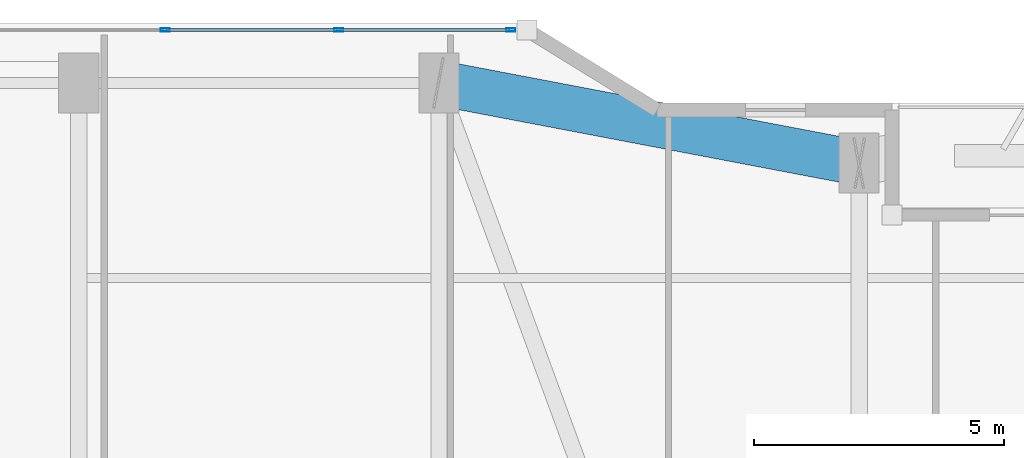
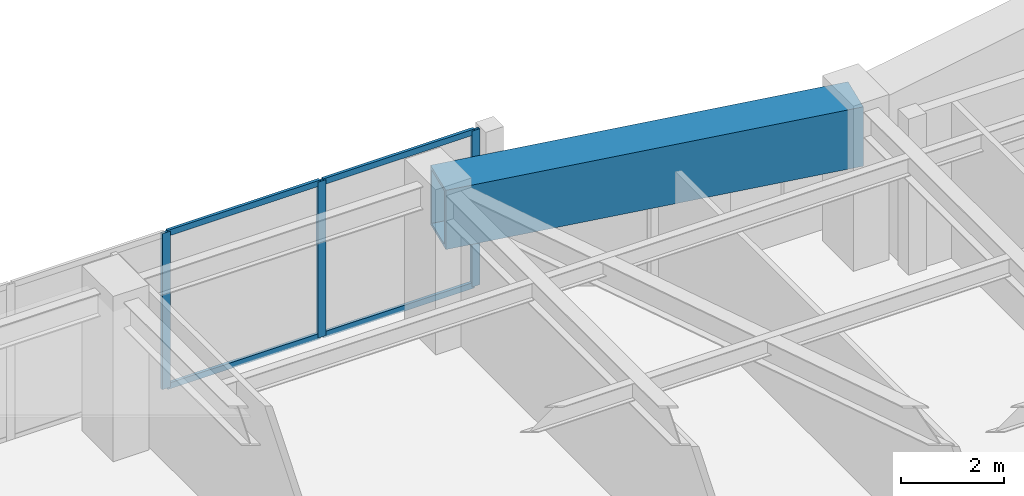
# One storey, part 19 of 30: 7 members, 1 beam, 1 element without a shape of its own.
"""IFC4 building model written with IfcOpenShell, lengths in metres."""

from ifc_helpers import new_model, si_unit, direction, frame, origin, origin_2d, place, context, subcontext, project, spatial, hollow_rectangle, extrude, material, layer, layer_set, material_profile, profile_set, type_object, element, aggregate, save


model = new_model("IFC4")

# Units and contexts
model_context = context("Model", 3, precision=1e-05, world=origin(), true_north=direction((0.0, 1.0)))
body_context = subcontext(model_context, "Body", "Model", "MODEL_VIEW")
ifc_project = project(units=[si_unit("LENGTHUNIT", "METRE"), si_unit("AREAUNIT", "SQUARE_METRE"), si_unit("VOLUMEUNIT", "CUBIC_METRE"), si_unit("PLANEANGLEUNIT", "RADIAN"), si_unit("MASSUNIT", "GRAM", prefix="KILO")], contexts=[model_context])

# Site, building, storey
site_placement = place(None, origin())
site = spatial("IfcSite", under=ifc_project, at=site_placement, CompositionType="ELEMENT")
building_placement = place(site_placement, origin())
building = spatial("IfcBuilding", under=site, at=building_placement, Name="Kiyonajd Concourse Tower", CompositionType="ELEMENT")
storey_placement = place(building_placement, frame((0.0, 0.0, 174.0)))
storey = spatial("IfcBuildingStorey", under=building, at=storey_placement, Name="L44", CompositionType="ELEMENT", Elevation=174.0)

# Beam
ifc_material_1 = material(Name="Steel ASTM A572 Grade 50", Category="steel")
ifc_material_profile_1 = material_profile(ifc_material_1, hollow_rectangle(XDim=0.89990234375, YDim=1.39990234375, WallThickness=0.070068359375, at=origin_2d()), Name="BOX-1400x900x70")
ifc_profile_set_1 = profile_set([ifc_material_profile_1], Name="Steel ASTM A572 Grade 50")
beam_type = type_object("IfcBeamType", Name="BM-XFER-1400", PredefinedType="BEAM", material=ifc_profile_set_1)
beam_placement = place(storey_placement, frame((48.0, 59.60009765625, 2.97998046875), z_axis=(-0.982341315253, 0.187097675953, 0.0), x_axis=(-0.187097675953, -0.982341315253, 0.0)))
element("IfcBeam", 1, at=beam_placement, inside=storey, type_object=beam_type, Name="L44 Perimeter Bundled Tube Spandrel", PredefinedType="BEAM", context=body_context, shape_type="SweptSolid", body=[
    extrude(hollow_rectangle(XDim=0.89990234375, YDim=1.39990234375, WallThickness=0.070068359375, at=origin_2d()), origin(), (0.0, 0.0, 1.0), 8.55078125),
])

# Curtain wall, members
ifc_material_2 = material(Name="Thermally Broken Anodised Aluminium", Category="aluminium")
ifc_layer = layer(ifc_material_2, 0.179931640625)
ifc_layer_set = layer_set([ifc_layer], Name="Thermally Broken Anodised Aluminium")
curtain_wall_type = type_object("IfcCurtainWallType", Name="CW-SYS-03", PredefinedType="NOTDEFINED", material=ifc_layer_set)
curtain_wall_placement = place(storey_placement, origin())
curtain_wall = element("IfcCurtainWall", 2, at=curtain_wall_placement, inside=storey, type_object=curtain_wall_type, Name="L44 Unitised Curtain Wall CW3", PredefinedType="NOTDEFINED")
ifc_material_profile_2 = material_profile(ifc_material_2, hollow_rectangle(XDim=0.06494140625, YDim=0.179931640625, WallThickness=0.00390625, at=origin_2d()), Name="MULL-65x180")
ifc_profile_set_2 = profile_set([ifc_material_profile_2], Name="Thermally Broken Anodised Aluminium")
member_type_1 = type_object("IfcMemberType", Name="MB-CW-MULL1", PredefinedType="MULLION", material=ifc_profile_set_2)
member_1_placement = place(storey_placement, frame((34.12548828125, 62.260009765625, 0.0), z_axis=(0.0, 0.0, 1.0), x_axis=(0.0, 1.0, 0.0)))
member_1 = element("IfcMember", 3, at=member_1_placement, type_object=member_type_1, Name="CW3 mullion 4", PredefinedType="MULLION", context=body_context, shape_type="SweptSolid", body=[
    extrude(hollow_rectangle(XDim=0.06494140625, YDim=0.179931640625, WallThickness=0.00390625, at=origin_2d()), origin(), (0.0, 0.0, 1.0), 3.679931640625),
])
member_2_placement = place(storey_placement, frame((37.597900390625, 62.260009765625, 0.0), z_axis=(0.0, 0.0, 1.0), x_axis=(0.0, 1.0, 0.0)))
member_2 = element("IfcMember", 4, at=member_2_placement, type_object=member_type_1, Name="CW3 mullion 5", PredefinedType="MULLION", context=body_context, shape_type="SweptSolid", body=[
    extrude(hollow_rectangle(XDim=0.06494140625, YDim=0.179931640625, WallThickness=0.00390625, at=origin_2d()), origin(), (0.0, 0.0, 1.0), 3.679931640625),
])
member_3_placement = place(storey_placement, frame((41.037841796875, 62.260009765625, 0.0), z_axis=(0.0, 0.0, 1.0), x_axis=(0.0, 1.0, 0.0)))
member_3 = element("IfcMember", 5, at=member_3_placement, type_object=member_type_1, Name="CW3 mullion 6", PredefinedType="MULLION", context=body_context, shape_type="SweptSolid", body=[
    extrude(hollow_rectangle(XDim=0.06494140625, YDim=0.179931640625, WallThickness=0.00390625, at=origin_2d()), origin(), (0.0, 0.0, 1.0), 3.679931640625),
])
ifc_material_profile_3 = material_profile(ifc_material_2, hollow_rectangle(XDim=0.06494140625, YDim=0.139892578125, WallThickness=0.00390625, at=origin_2d()), Name="TRAN-65x140")
ifc_profile_set_3 = profile_set([ifc_material_profile_3], Name="Thermally Broken Anodised Aluminium")
member_type_2 = type_object("IfcMemberType", Name="MB-CW-TRAN1", PredefinedType="USERDEFINED", material=ifc_profile_set_3)
member_4_placement = place(storey_placement, frame((34.158203125, 62.260009765625, 0.032470703125), z_axis=(1.0, 0.0, 0.0), x_axis=(0.0, 1.0, 0.0)))
member_4 = element("IfcMember", 6, at=member_4_placement, type_object=member_type_2, Name="CW3 transom 4.1", ObjectType="TRANSOM", PredefinedType="USERDEFINED", context=body_context, shape_type="SweptSolid", body=[
    extrude(hollow_rectangle(XDim=0.06494140625, YDim=0.139892578125, WallThickness=0.00390625, at=origin_2d()), origin(), (0.0, 0.0, 1.0), 3.4072265625),
])
member_5_placement = place(storey_placement, frame((34.158203125, 62.260009765625, 3.6474609375), z_axis=(1.0, 0.0, 0.0), x_axis=(0.0, 1.0, 0.0)))
member_5 = element("IfcMember", 7, at=member_5_placement, type_object=member_type_2, Name="CW3 transom 4.2", ObjectType="TRANSOM", PredefinedType="USERDEFINED", context=body_context, shape_type="SweptSolid", body=[
    extrude(hollow_rectangle(XDim=0.06494140625, YDim=0.139892578125, WallThickness=0.00390625, at=origin_2d()), origin(), (0.0, 0.0, 1.0), 3.4072265625),
])
member_6_placement = place(storey_placement, frame((37.630615234375, 62.260009765625, 0.032470703125), z_axis=(1.0, 0.0, 0.0), x_axis=(0.0, 1.0, 0.0)))
member_6 = element("IfcMember", 8, at=member_6_placement, type_object=member_type_2, Name="CW3 transom 5.1", ObjectType="TRANSOM", PredefinedType="USERDEFINED", context=body_context, shape_type="SweptSolid", body=[
    extrude(hollow_rectangle(XDim=0.06494140625, YDim=0.139892578125, WallThickness=0.00390625, at=origin_2d()), origin(), (0.0, 0.0, 1.0), 3.374755859375),
])
member_7_placement = place(storey_placement, frame((37.630615234375, 62.260009765625, 3.6474609375), z_axis=(1.0, 0.0, 0.0), x_axis=(0.0, 1.0, 0.0)))
member_7 = element("IfcMember", 9, at=member_7_placement, type_object=member_type_2, Name="CW3 transom 5.2", ObjectType="TRANSOM", PredefinedType="USERDEFINED", context=body_context, shape_type="SweptSolid", body=[
    extrude(hollow_rectangle(XDim=0.06494140625, YDim=0.139892578125, WallThickness=0.00390625, at=origin_2d()), origin(), (0.0, 0.0, 1.0), 3.374755859375),
])
aggregate(curtain_wall, [member_1, member_2, member_3, member_4, member_5, member_6, member_7])

save(model, "model.ifc")
